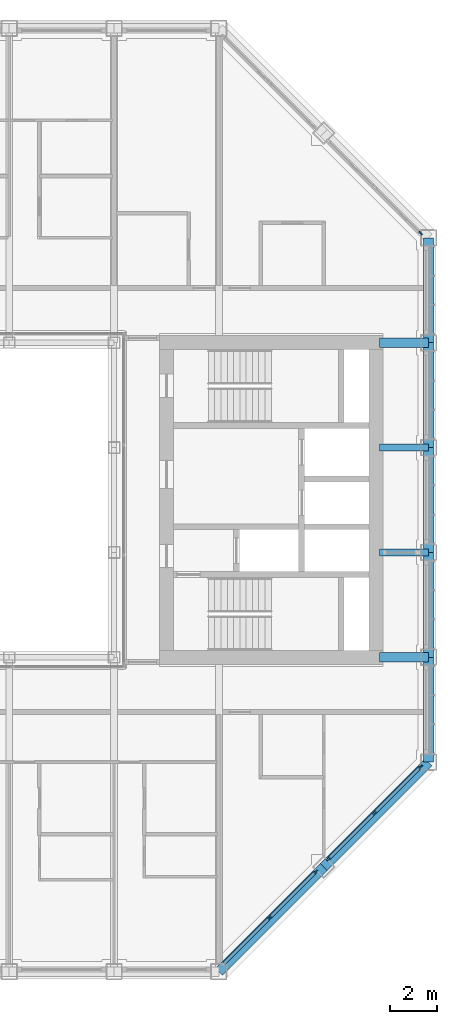
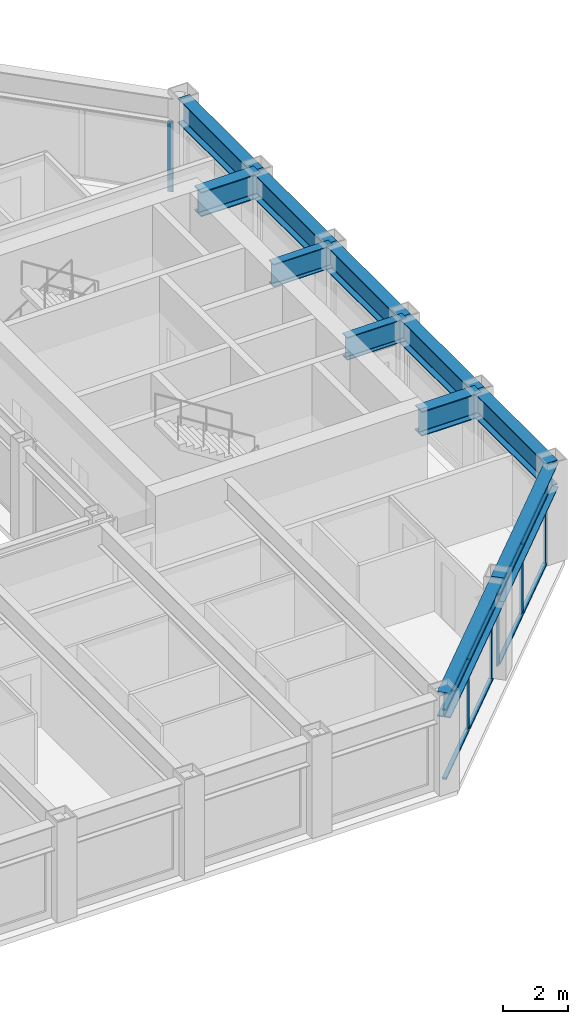
# One storey, part 5 of 17: 14 members, 11 beams, 3 elements without a shape of their own.
"""IFC4 building model written with IfcOpenShell, lengths in metres."""

from ifc_helpers import new_model, si_unit, direction, frame, origin, origin_2d, place, context, subcontext, project, spatial, rectangle, i_section, extrude, material, material_profile, profile_set, type_object, element, aggregate, save


model = new_model("IFC4")

# Units and contexts
model_context = context("Model", 3, precision=1e-05, world=origin(), true_north=direction((0.0, 1.0)))
body_context = subcontext(model_context, "Body", "Model", "MODEL_VIEW")
ifc_project = project(units=[si_unit("LENGTHUNIT", "METRE"), si_unit("AREAUNIT", "SQUARE_METRE"), si_unit("VOLUMEUNIT", "CUBIC_METRE"), si_unit("PLANEANGLEUNIT", "RADIAN"), si_unit("MASSUNIT", "GRAM", prefix="KILO")], contexts=[model_context])

# Site, building, storey
site_placement = place(None, origin())
site = spatial("IfcSite", under=ifc_project, at=site_placement, CompositionType="ELEMENT")
building_placement = place(site_placement, origin())
building = spatial("IfcBuilding", under=site, at=building_placement, Name="Msasa Ring Tower", CompositionType="ELEMENT")
storey_placement = place(building_placement, frame((0.0, 0.0, 234.550048828125)))
storey = spatial("IfcBuildingStorey", under=building, at=storey_placement, Name="L61", CompositionType="ELEMENT", Elevation=234.550048828125)

# Curtain wall, members
ifc_material_1 = material(Name="Aluminium curtain wall with clear glass", Category="aluminium")
curtain_wall_type = type_object("IfcCurtainWallType", Name="CW-C CHAMFER CORNER CURTAIN WALL", PredefinedType="NOTDEFINED", material=ifc_material_1)
curtain_wall_1_placement = place(storey_placement, origin())
curtain_wall_1 = element("IfcCurtainWall", 1, at=curtain_wall_1_placement, inside=storey, type_object=curtain_wall_type, Name="Chamfer corner curtain wall SE L61", PredefinedType="NOTDEFINED")
ifc_material_2 = material(Name="Aluminium mullion", Category="aluminium")
ifc_material_profile_1 = material_profile(ifc_material_2, rectangle(XDim=0.06494140625, YDim=0.179931640625, at=origin_2d()), Name="AL 65x180")
ifc_profile_set_1 = profile_set([ifc_material_profile_1], Name="Aluminium mullion")
member_type_1 = type_object("IfcMemberType", Name="CW-C MULLION 65x180", PredefinedType="MULLION", material=ifc_profile_set_1)
member_1_placement = place(storey_placement, frame((13.42919921875, -17.92919921875, 0.0), z_axis=(0.0, 0.0, 1.0), x_axis=(-0.707106781187, 0.707106781187, 0.0)))
member_1 = element("IfcMember", 2, at=member_1_placement, type_object=member_type_1, Name="CW-C mullion 2", PredefinedType="MULLION", context=body_context, shape_type="SweptSolid", body=[
    extrude(rectangle(XDim=0.06494140625, YDim=0.179931640625, at=origin_2d()), origin(), (0.0, 0.0, 1.0), 2.62890625),
])
member_2_placement = place(storey_placement, frame((15.4052734375, -15.953369140625, 0.0), z_axis=(0.0, 0.0, 1.0), x_axis=(-0.707106781187, 0.707106781187, 0.0)))
member_2 = element("IfcMember", 3, at=member_2_placement, type_object=member_type_1, Name="CW-C mullion 3", PredefinedType="MULLION", context=body_context, shape_type="SweptSolid", body=[
    extrude(rectangle(XDim=0.06494140625, YDim=0.179931640625, at=origin_2d()), origin(), (0.0, 0.0, 1.0), 2.62890625),
])

curtain_wall_2_placement = place(storey_placement, origin())
curtain_wall_2 = element("IfcCurtainWall", 4, at=curtain_wall_2_placement, inside=storey, type_object=curtain_wall_type, Name="Chamfer corner curtain wall SE L61", PredefinedType="NOTDEFINED")
member_3_placement = place(storey_placement, frame((15.953369140625, -15.4052734375, 0.0), z_axis=(0.0, 0.0, 1.0), x_axis=(-0.707106781187, 0.707106781187, 0.0)))
member_3 = element("IfcMember", 5, at=member_3_placement, type_object=member_type_1, Name="CW-C mullion 1", PredefinedType="MULLION", context=body_context, shape_type="SweptSolid", body=[
    extrude(rectangle(XDim=0.06494140625, YDim=0.179931640625, at=origin_2d()), origin(), (0.0, 0.0, 1.0), 2.62890625),
])
member_4_placement = place(storey_placement, frame((17.92919921875, -13.42919921875, 0.0), z_axis=(0.0, 0.0, 1.0), x_axis=(-0.707106781187, 0.707106781187, 0.0)))
member_4 = element("IfcMember", 6, at=member_4_placement, type_object=member_type_1, Name="CW-C mullion 2", PredefinedType="MULLION", context=body_context, shape_type="SweptSolid", body=[
    extrude(rectangle(XDim=0.06494140625, YDim=0.179931640625, at=origin_2d()), origin(), (0.0, 0.0, 1.0), 2.62890625),
])
member_5_placement = place(storey_placement, frame((19.9052734375, -11.453369140625, 0.0), z_axis=(0.0, 0.0, 1.0), x_axis=(-0.707106781187, 0.707106781187, 0.0)))
member_5 = element("IfcMember", 7, at=member_5_placement, type_object=member_type_1, Name="CW-C mullion 3", PredefinedType="MULLION", context=body_context, shape_type="SweptSolid", body=[
    extrude(rectangle(XDim=0.06494140625, YDim=0.179931640625, at=origin_2d()), origin(), (0.0, 0.0, 1.0), 2.62890625),
])

# Curtain wall, member
curtain_wall_3_placement = place(storey_placement, origin())
curtain_wall_3 = element("IfcCurtainWall", 8, at=curtain_wall_3_placement, inside=storey, type_object=curtain_wall_type, Name="Chamfer corner curtain wall NE L61", PredefinedType="NOTDEFINED")
member_6_placement = place(storey_placement, frame((19.9052734375, 11.453369140625, 0.0), z_axis=(0.0, 0.0, 1.0), x_axis=(-0.707106781187, -0.707106781187, 0.0)))
member_6 = element("IfcMember", 9, at=member_6_placement, type_object=member_type_1, Name="CW-C mullion 1", PredefinedType="MULLION", context=body_context, shape_type="SweptSolid", body=[
    extrude(rectangle(XDim=0.06494140625, YDim=0.179931640625, at=origin_2d()), origin(), (0.0, 0.0, 1.0), 2.62890625),
])
aggregate(curtain_wall_3, [member_6])

# Member
ifc_material_3 = material(Name="Aluminium transom", Category="aluminium")
ifc_material_profile_2 = material_profile(ifc_material_3, rectangle(XDim=0.139892578125, YDim=0.06494140625, at=origin_2d()), Name="AL 65x140")
ifc_profile_set_2 = profile_set([ifc_material_profile_2], Name="Aluminium transom")
member_type_2 = type_object("IfcMemberType", Name="CW-C TRANSOM 65x140", PredefinedType="USERDEFINED", material=ifc_profile_set_2)
member_7_placement = place(storey_placement, frame((11.476318359375, -19.88232421875, 0.032470703125), z_axis=(0.707106781187, 0.707106781187, 0.0), x_axis=(-0.707106781187, 0.707106781187, 0.0)))
member_7 = element("IfcMember", 10, at=member_7_placement, type_object=member_type_2, Name="CW-C transom 1.1", ObjectType="TRANSOM", PredefinedType="USERDEFINED", context=body_context, shape_type="SweptSolid", body=[
    extrude(rectangle(XDim=0.139892578125, YDim=0.06494140625, at=origin_2d()), origin(), (0.0, 0.0, 1.0), 2.729248046875),
])

member_8_placement = place(storey_placement, frame((11.476318359375, -19.88232421875, 2.596435546875), z_axis=(0.707106781187, 0.707106781187, 0.0), x_axis=(-0.707106781187, 0.707106781187, 0.0)))
member_8 = element("IfcMember", 11, at=member_8_placement, type_object=member_type_2, Name="CW-C transom 1.2", ObjectType="TRANSOM", PredefinedType="USERDEFINED", context=body_context, shape_type="SweptSolid", body=[
    extrude(rectangle(XDim=0.139892578125, YDim=0.06494140625, at=origin_2d()), origin(), (0.0, 0.0, 1.0), 2.729248046875),
])

member_9_placement = place(storey_placement, frame((13.452392578125, -17.90625, 0.032470703125), z_axis=(0.707106781187, 0.707106781187, 0.0), x_axis=(-0.707106781187, 0.707106781187, 0.0)))
member_9 = element("IfcMember", 12, at=member_9_placement, type_object=member_type_2, Name="CW-C transom 2.1", ObjectType="TRANSOM", PredefinedType="USERDEFINED", context=body_context, shape_type="SweptSolid", body=[
    extrude(rectangle(XDim=0.139892578125, YDim=0.06494140625, at=origin_2d()), origin(), (0.0, 0.0, 1.0), 2.729248046875),
])

member_10_placement = place(storey_placement, frame((13.452392578125, -17.90625, 2.596435546875), z_axis=(0.707106781187, 0.707106781187, 0.0), x_axis=(-0.707106781187, 0.707106781187, 0.0)))
member_10 = element("IfcMember", 13, at=member_10_placement, type_object=member_type_2, Name="CW-C transom 2.2", ObjectType="TRANSOM", PredefinedType="USERDEFINED", context=body_context, shape_type="SweptSolid", body=[
    extrude(rectangle(XDim=0.139892578125, YDim=0.06494140625, at=origin_2d()), origin(), (0.0, 0.0, 1.0), 2.729248046875),
])

aggregate(curtain_wall_1, [member_1, member_2, member_7, member_8, member_9, member_10])

member_11_placement = place(storey_placement, frame((15.976318359375, -15.38232421875, 0.032470703125), z_axis=(0.707106781187, 0.707106781187, 0.0), x_axis=(-0.707106781187, 0.707106781187, 0.0)))
member_11 = element("IfcMember", 14, at=member_11_placement, type_object=member_type_2, Name="CW-C transom 1.1", ObjectType="TRANSOM", PredefinedType="USERDEFINED", context=body_context, shape_type="SweptSolid", body=[
    extrude(rectangle(XDim=0.139892578125, YDim=0.06494140625, at=origin_2d()), origin(), (0.0, 0.0, 1.0), 2.729248046875),
])

member_12_placement = place(storey_placement, frame((15.976318359375, -15.38232421875, 2.596435546875), z_axis=(0.707106781187, 0.707106781187, 0.0), x_axis=(-0.707106781187, 0.707106781187, 0.0)))
member_12 = element("IfcMember", 15, at=member_12_placement, type_object=member_type_2, Name="CW-C transom 1.2", ObjectType="TRANSOM", PredefinedType="USERDEFINED", context=body_context, shape_type="SweptSolid", body=[
    extrude(rectangle(XDim=0.139892578125, YDim=0.06494140625, at=origin_2d()), origin(), (0.0, 0.0, 1.0), 2.729248046875),
])

member_13_placement = place(storey_placement, frame((17.952392578125, -13.40625, 0.032470703125), z_axis=(0.707106781187, 0.707106781187, 0.0), x_axis=(-0.707106781187, 0.707106781187, 0.0)))
member_13 = element("IfcMember", 16, at=member_13_placement, type_object=member_type_2, Name="CW-C transom 2.1", ObjectType="TRANSOM", PredefinedType="USERDEFINED", context=body_context, shape_type="SweptSolid", body=[
    extrude(rectangle(XDim=0.139892578125, YDim=0.06494140625, at=origin_2d()), origin(), (0.0, 0.0, 1.0), 2.729248046875),
])

member_14_placement = place(storey_placement, frame((17.952392578125, -13.40625, 2.596435546875), z_axis=(0.707106781187, 0.707106781187, 0.0), x_axis=(-0.707106781187, 0.707106781187, 0.0)))
member_14 = element("IfcMember", 17, at=member_14_placement, type_object=member_type_2, Name="CW-C transom 2.2", ObjectType="TRANSOM", PredefinedType="USERDEFINED", context=body_context, shape_type="SweptSolid", body=[
    extrude(rectangle(XDim=0.139892578125, YDim=0.06494140625, at=origin_2d()), origin(), (0.0, 0.0, 1.0), 2.729248046875),
])

aggregate(curtain_wall_2, [member_3, member_4, member_5, member_11, member_12, member_13, member_14])

# Beams
ifc_material_4 = material(Name="Steel S355", Category="steel")
ifc_material_profile_3 = material_profile(ifc_material_4, i_section(OverallWidth=0.293701171875, OverallDepth=0.850830078125, WebThickness=0.01611328125, FlangeThickness=0.02685546875, FilletRadius=0.017822265625, at=origin_2d()), Name="UB 838x292x226")
ifc_profile_set_3 = profile_set([ifc_material_profile_3], Name="Steel S355")
beam_type_1 = type_object("IfcBeamType", Name="FB5 UB 838x292x226", PredefinedType="BEAM", material=ifc_profile_set_3)
for number, where, z_axis, x_axis, name in (
    (18, (20.25, -2.25, 3.12451171875), (-1.0, 0.0, 0.0), (0.0, -1.0, 0.0), "Floor beam E -2.25 under L62"),
    (19, (20.25, 2.25, 3.12451171875), (-1.0, 0.0, 0.0), (0.0, -1.0, 0.0), "Floor beam E +2.25 under L62"),
):
    element("IfcBeam", number, at=place(storey_placement, frame(where, z_axis=z_axis, x_axis=x_axis)), inside=storey, type_object=beam_type_1, Name=name, PredefinedType="BEAM", context=body_context, shape_type="SweptSolid", body=[
        extrude(i_section(OverallWidth=0.293701171875, OverallDepth=0.850830078125, WebThickness=0.01611328125, FlangeThickness=0.02685546875, FilletRadius=0.017822265625, at=origin_2d()), origin(), (0.0, 0.0, 1.0), 2.10009765625),
    ])
ifc_material_5 = material(Name="Steel S355", Category="steel")
ifc_material_profile_4 = material_profile(ifc_material_5, i_section(OverallWidth=0.42041015625, OverallDepth=0.9208984375, WebThickness=0.021484375, FlangeThickness=0.03662109375, FilletRadius=0.024169921875, at=origin_2d()), Name="UB 914x419x388")
ifc_profile_set_4 = profile_set([ifc_material_profile_4], Name="Steel S355")
beam_type_2 = type_object("IfcBeamType", Name="GB1 UB 914x419x388", PredefinedType="BEAM", material=ifc_profile_set_4)
for number, where, z_axis, x_axis, name in (
    (20, (18.14990234375, 6.75, 3.08935546875), (1.0, 0.0, 0.0), (0.0, 1.0, 0.0), "Girder E +6.75 under L62"),
    (21, (18.14990234375, -6.75, 3.08935546875), (1.0, 0.0, 0.0), (0.0, 1.0, 0.0), "Girder E -6.75 under L62"),
):
    element("IfcBeam", number, at=place(storey_placement, frame(where, z_axis=z_axis, x_axis=x_axis)), inside=storey, type_object=beam_type_2, Name=name, PredefinedType="BEAM", context=body_context, shape_type="SweptSolid", body=[
        extrude(i_section(OverallWidth=0.42041015625, OverallDepth=0.9208984375, WebThickness=0.021484375, FlangeThickness=0.03662109375, FilletRadius=0.024169921875, at=origin_2d()), origin(), (0.0, 0.0, 1.0), 2.10009765625),
    ])
ifc_material_6 = material(Name="Steel S355", Category="steel")
ifc_material_profile_5 = material_profile(ifc_material_6, i_section(OverallWidth=0.42041015625, OverallDepth=0.9208984375, WebThickness=0.021484375, FlangeThickness=0.03662109375, FilletRadius=0.024169921875, at=origin_2d()), Name="UB 914x419x388")
ifc_profile_set_5 = profile_set([ifc_material_profile_5], Name="Steel S355")
beam_type_3 = type_object("IfcBeamType", Name="SB1 UB 914x419x388", PredefinedType="SPANDREL", material=ifc_profile_set_5)
for number, where, z_axis, x_axis, name in (
    (22, (11.25, -20.25, 3.08935546875), (0.707106781187, 0.707106781187, 0.0), (-0.707106781187, 0.707106781187, 0.0), "Spandrel S+11.25 to SE under L62"),
    (23, (15.75, -15.75, 3.08935546875), (0.707106781187, 0.707106781187, 0.0), (-0.707106781187, 0.707106781187, 0.0), "Spandrel SE to E-11.25 under L62"),
):
    element("IfcBeam", number, at=place(storey_placement, frame(where, z_axis=z_axis, x_axis=x_axis)), inside=storey, type_object=beam_type_3, Name=name, PredefinedType="SPANDREL", context=body_context, shape_type="SweptSolid", body=[
        extrude(i_section(OverallWidth=0.42041015625, OverallDepth=0.9208984375, WebThickness=0.021484375, FlangeThickness=0.03662109375, FilletRadius=0.024169921875, at=origin_2d()), origin(), (0.0, 0.0, 1.0), 6.364013671875),
    ])
for number, where, z_axis, x_axis, name in (
    (24, (20.25, -11.25, 3.08935546875), (0.0, 1.0, 0.0), (-1.0, 0.0, 0.0), "Spandrel E-11.25 to E-6.75 under L62"),
    (25, (20.25, -6.75, 3.08935546875), (0.0, 1.0, 0.0), (-1.0, 0.0, 0.0), "Spandrel E-6.75 to E-2.25 under L62"),
    (26, (20.25, -2.25, 3.08935546875), (0.0, 1.0, 0.0), (-1.0, 0.0, 0.0), "Spandrel E-2.25 to E+2.25 under L62"),
    (27, (20.25, 2.25, 3.08935546875), (0.0, 1.0, 0.0), (-1.0, 0.0, 0.0), "Spandrel E+2.25 to E+6.75 under L62"),
    (28, (20.25, 6.75, 3.08935546875), (0.0, 1.0, 0.0), (-1.0, 0.0, 0.0), "Spandrel E+6.75 to E+11.25 under L62"),
):
    element("IfcBeam", number, at=place(storey_placement, frame(where, z_axis=z_axis, x_axis=x_axis)), inside=storey, type_object=beam_type_3, Name=name, PredefinedType="SPANDREL", context=body_context, shape_type="SweptSolid", body=[
        extrude(i_section(OverallWidth=0.42041015625, OverallDepth=0.9208984375, WebThickness=0.021484375, FlangeThickness=0.03662109375, FilletRadius=0.024169921875, at=origin_2d()), origin(), (0.0, 0.0, 1.0), 4.5),
    ])

save(model, "model.ifc")
